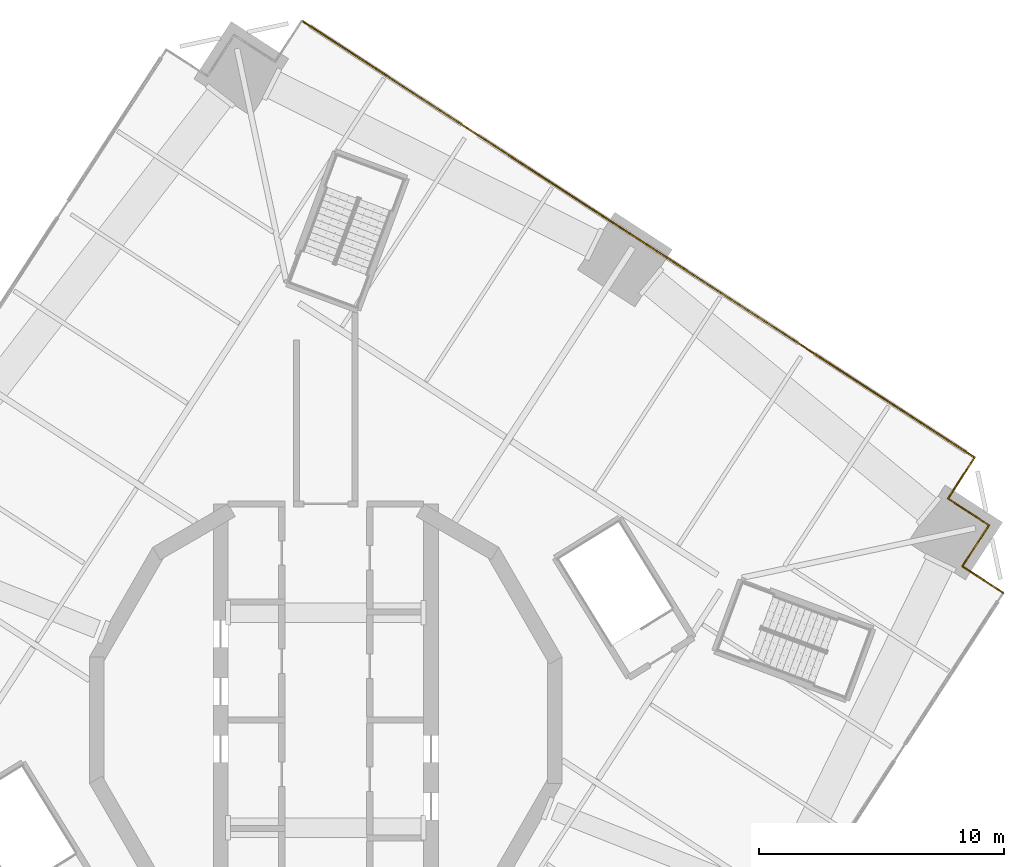
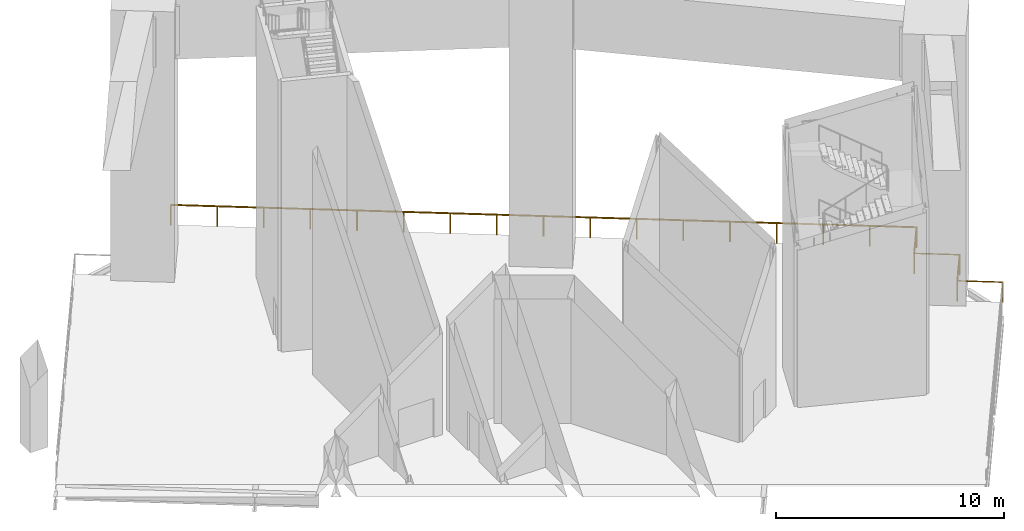
# One storey, part 16 of 16: 6 railings.
"""IFC4 building model written with IfcOpenShell, lengths in metres."""

from ifc_helpers import new_model, si_unit, direction, frame, origin, origin_2d, place, context, subcontext, project, spatial, circle, extrude, material, type_object, element, save


model = new_model("IFC4")

# Units and contexts
model_context = context("Model", 3, precision=1e-05, world=origin(), true_north=direction((0.0, 1.0)))
body_context = subcontext(model_context, "Body", "Model", "MODEL_VIEW")
ifc_project = project(units=[si_unit("LENGTHUNIT", "METRE"), si_unit("AREAUNIT", "SQUARE_METRE"), si_unit("VOLUMEUNIT", "CUBIC_METRE"), si_unit("PLANEANGLEUNIT", "RADIAN"), si_unit("MASSUNIT", "GRAM", prefix="KILO")], contexts=[model_context])

# Site, building, storey
site_placement = place(None, origin())
site = spatial("IfcSite", under=ifc_project, at=site_placement, CompositionType="ELEMENT")
building_placement = place(site_placement, origin())
building = spatial("IfcBuilding", under=site, at=building_placement, Name="Cantera Rosa Tower", CompositionType="ELEMENT")
storey_placement = place(building_placement, frame((0.0, 0.0, 290.10009765625)))
storey = spatial("IfcBuildingStorey", under=building, at=storey_placement, Name="L66", CompositionType="ELEMENT", Elevation=290.10009765625)

# Railings
ifc_material = material(Name="Stainless steel and laminated glass", Category="steel")
railing_type = type_object("IfcRailingType", Name="GUARD 1100", PredefinedType="BALUSTRADE", material=ifc_material)
railing_1_placement = place(storey_placement, frame((19.64892578125, 15.20068359375, 0.0)))
element("IfcRailing", 1, at=railing_1_placement, inside=storey, type_object=railing_type, Name="PORTAL GUARD L66-1", PredefinedType="BALUSTRADE", context=body_context, shape_type="SweptSolid", body=[
    extrude(circle(Radius=0.030029296875, at=origin_2d()), frame((0.0, 0.0, 1.070068359375), z_axis=(-0.838669833889, 0.544640165361, 0.0), x_axis=(-0.544640165361, -0.838669833889, 0.0)), (0.0, 0.0, 1.0), 24.60009765625),
    extrude(circle(Radius=0.02490234375, at=origin_2d()), origin(), (0.0, 0.0, 1.0), 1.0400390625),
    extrude(circle(Radius=0.02490234375, at=origin_2d()), frame((-1.71923828125, 1.116455078125, 0.0)), (0.0, 0.0, 1.0), 1.0400390625),
    extrude(circle(Radius=0.02490234375, at=origin_2d()), frame((-3.4384765625, 2.23291015625, 0.0)), (0.0, 0.0, 1.0), 1.0400390625),
    extrude(circle(Radius=0.02490234375, at=origin_2d()), frame((-5.15771484375, 3.349609375, 0.0)), (0.0, 0.0, 1.0), 1.0400390625),
    extrude(circle(Radius=0.02490234375, at=origin_2d()), frame((-6.877197265625, 4.466064453125, 0.0)), (0.0, 0.0, 1.0), 1.0400390625),
    extrude(circle(Radius=0.02490234375, at=origin_2d()), frame((-8.596435546875, 5.58251953125, 0.0)), (0.0, 0.0, 1.0), 1.0400390625),
    extrude(circle(Radius=0.02490234375, at=origin_2d()), frame((-10.315673828125, 6.69921875, 0.0)), (0.0, 0.0, 1.0), 1.0400390625),
    extrude(circle(Radius=0.02490234375, at=origin_2d()), frame((-12.034912109375, 7.815673828125, 0.0)), (0.0, 0.0, 1.0), 1.0400390625),
    extrude(circle(Radius=0.02490234375, at=origin_2d()), frame((-13.754150390625, 8.93212890625, 0.0)), (0.0, 0.0, 1.0), 1.0400390625),
    extrude(circle(Radius=0.02490234375, at=origin_2d()), frame((-15.4736328125, 10.048583984375, 0.0)), (0.0, 0.0, 1.0), 1.0400390625),
    extrude(circle(Radius=0.02490234375, at=origin_2d()), frame((-17.19287109375, 11.1650390625, 0.0)), (0.0, 0.0, 1.0), 1.0400390625),
    extrude(circle(Radius=0.02490234375, at=origin_2d()), frame((-18.912109375, 12.28173828125, 0.0)), (0.0, 0.0, 1.0), 1.0400390625),
    extrude(circle(Radius=0.02490234375, at=origin_2d()), frame((-20.63134765625, 13.398193359375, 0.0)), (0.0, 0.0, 1.0), 1.0400390625),
])
railing_2_placement = place(storey_placement, frame((27.7021484375, 5.201416015625, 0.0)))
element("IfcRailing", 2, at=railing_2_placement, inside=storey, type_object=railing_type, Name="PORTAL GUARD L66-20", PredefinedType="BALUSTRADE", context=body_context, shape_type="SweptSolid", body=[
    extrude(circle(Radius=0.030029296875, at=origin_2d()), frame((0.0, 0.0, 1.070068359375), z_axis=(-0.838675004401, 0.544632203411, 0.0), x_axis=(-0.544632203411, -0.838675004401, 0.0)), (0.0, 0.0, 1.0), 2.000244140625),
    extrude(circle(Radius=0.02490234375, at=origin_2d()), origin(), (0.0, 0.0, 1.0), 1.0400390625),
    extrude(circle(Radius=0.02490234375, at=origin_2d()), frame((-1.677490234375, 1.08935546875, 0.0)), (0.0, 0.0, 1.0), 1.0400390625),
])
railing_3_placement = place(storey_placement, frame((26.024658203125, 6.290771484375, 0.0)))
element("IfcRailing", 3, at=railing_3_placement, inside=storey, type_object=railing_type, Name="PORTAL GUARD L66-21", PredefinedType="BALUSTRADE", context=body_context, shape_type="SweptSolid", body=[
    extrude(circle(Radius=0.030029296875, at=origin_2d()), frame((0.0, 0.0, 1.070068359375), z_axis=(0.54468796124, 0.838638792855, 0.0), x_axis=(-0.838638792855, 0.54468796124, 0.0)), (0.0, 0.0, 1.0), 2.0),
    extrude(circle(Radius=0.02490234375, at=origin_2d()), origin(), (0.0, 0.0, 1.0), 1.0400390625),
    extrude(circle(Radius=0.02490234375, at=origin_2d()), frame((1.08935546875, 1.67724609375, 0.0)), (0.0, 0.0, 1.0), 1.0400390625),
])
railing_4_placement = place(storey_placement, frame((27.114013671875, 7.968017578125, 0.0)))
element("IfcRailing", 4, at=railing_4_placement, inside=storey, type_object=railing_type, Name="PORTAL GUARD L66-22", PredefinedType="BALUSTRADE", context=body_context, shape_type="SweptSolid", body=[
    extrude(circle(Radius=0.030029296875, at=origin_2d()), frame((0.0, 0.0, 1.070068359375), z_axis=(-0.838638792855, 0.54468796124, 0.0), x_axis=(-0.54468796124, -0.838638792855, 0.0)), (0.0, 0.0, 1.0), 2.0),
    extrude(circle(Radius=0.02490234375, at=origin_2d()), origin(), (0.0, 0.0, 1.0), 1.0400390625),
    extrude(circle(Radius=0.02490234375, at=origin_2d()), frame((-1.67724609375, 1.08935546875, 0.0)), (0.0, 0.0, 1.0), 1.0400390625),
])
railing_5_placement = place(storey_placement, frame((25.436767578125, 9.057373046875, 0.0)))
element("IfcRailing", 5, at=railing_5_placement, inside=storey, type_object=railing_type, Name="PORTAL GUARD L66-23", PredefinedType="BALUSTRADE", context=body_context, shape_type="SweptSolid", body=[
    extrude(circle(Radius=0.030029296875, at=origin_2d()), frame((0.0, 0.0, 1.070068359375), z_axis=(0.544546340728, 0.838730757037, 0.0), x_axis=(-0.838730757037, 0.544546340728, 0.0)), (0.0, 0.0, 1.0), 2.0),
    extrude(circle(Radius=0.02490234375, at=origin_2d()), origin(), (0.0, 0.0, 1.0), 1.0400390625),
    extrude(circle(Radius=0.02490234375, at=origin_2d()), frame((1.089111328125, 1.677490234375, 0.0)), (0.0, 0.0, 1.0), 1.0400390625),
])
railing_6_placement = place(storey_placement, frame((26.52587890625, 10.73486328125, 0.0)))
element("IfcRailing", 6, at=railing_6_placement, inside=storey, type_object=railing_type, Name="PORTAL GUARD L66-24", PredefinedType="BALUSTRADE", context=body_context, shape_type="SweptSolid", body=[
    extrude(circle(Radius=0.030029296875, at=origin_2d()), frame((0.0, 0.0, 1.070068359375), z_axis=(-0.838677545839, 0.54462828985, 0.0), x_axis=(-0.54462828985, -0.838677545839, 0.0)), (0.0, 0.0, 1.0), 8.19970703125),
    extrude(circle(Radius=0.02490234375, at=origin_2d()), origin(), (0.0, 0.0, 1.0), 1.0400390625),
    extrude(circle(Radius=0.02490234375, at=origin_2d()), frame((-1.71923828125, 1.116455078125, 0.0)), (0.0, 0.0, 1.0), 1.0400390625),
    extrude(circle(Radius=0.02490234375, at=origin_2d()), frame((-3.4384765625, 2.23291015625, 0.0)), (0.0, 0.0, 1.0), 1.0400390625),
    extrude(circle(Radius=0.02490234375, at=origin_2d()), frame((-5.15771484375, 3.349365234375, 0.0)), (0.0, 0.0, 1.0), 1.0400390625),
    extrude(circle(Radius=0.02490234375, at=origin_2d()), frame((-6.876953125, 4.4658203125, 0.0)), (0.0, 0.0, 1.0), 1.0400390625),
])

save(model, "model.ifc")
